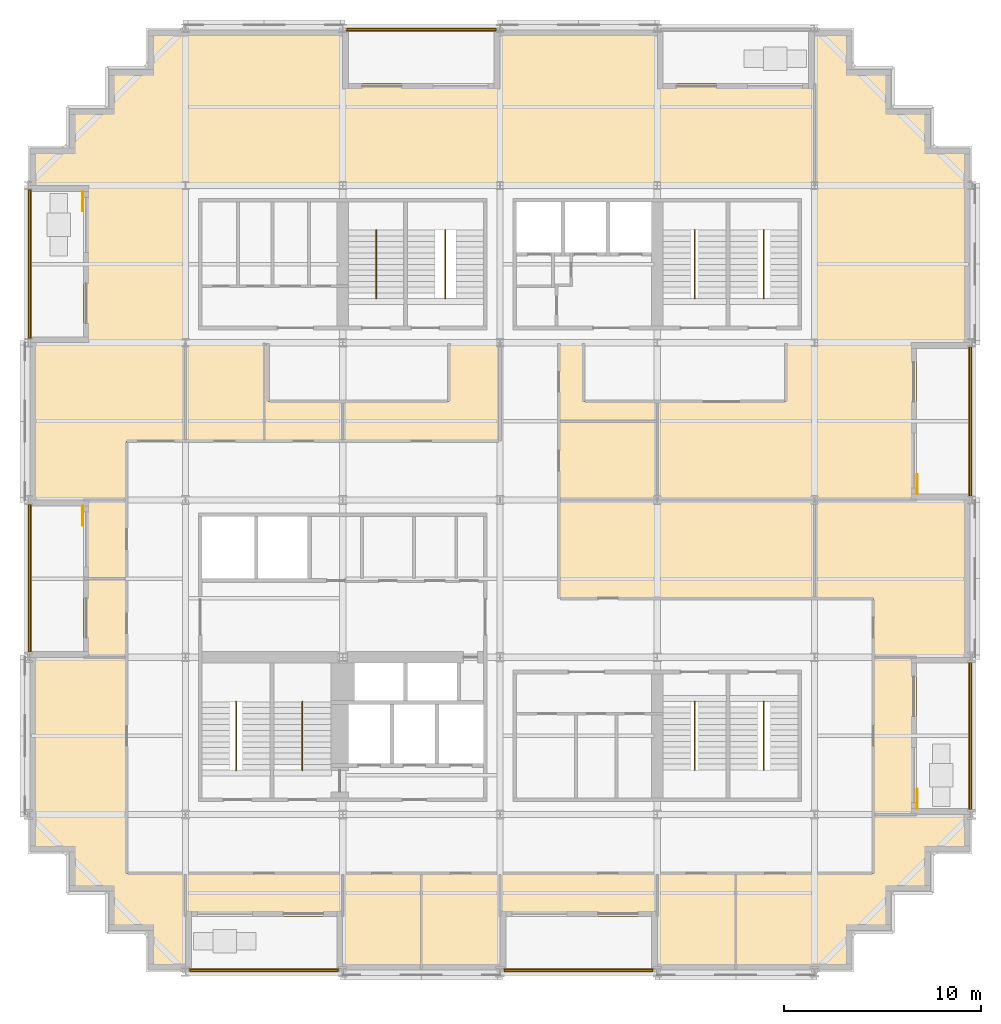
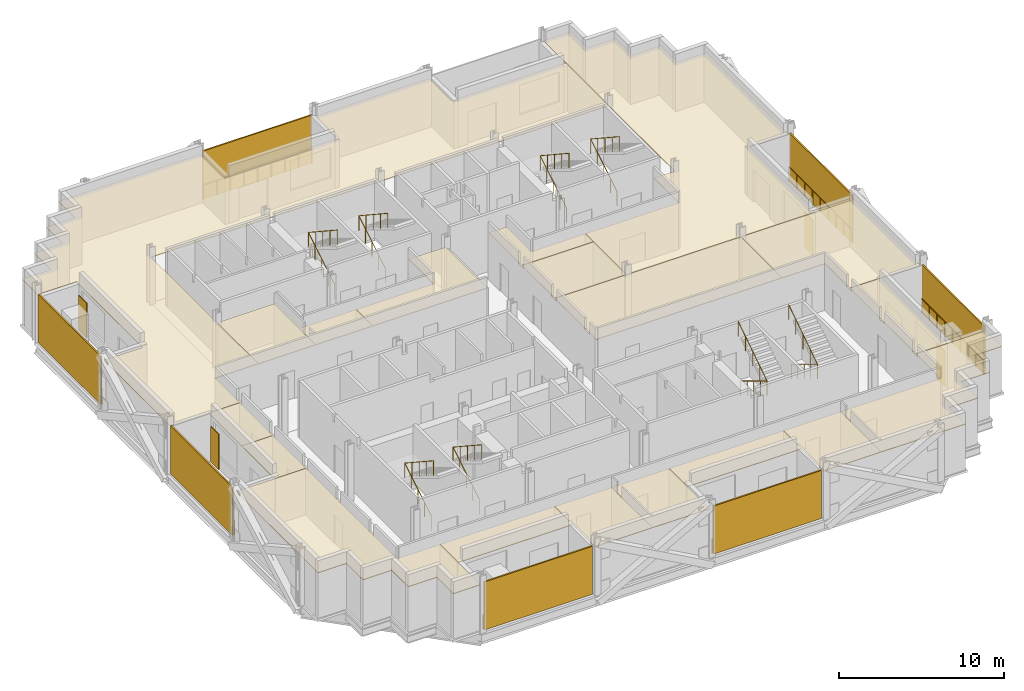
# One storey, part 11 of 13: 19 coverings, 15 railings, 11 shading devices.
"""IFC4 building model written with IfcOpenShell, lengths in metres."""

from ifc_helpers import new_model, si_unit, direction, frame, origin, origin_2d, place, context, subcontext, project, spatial, polyline, rectangle, circle, outline, extrude, material, layer, layer_set, type_object, element, save


model = new_model("IFC4")

# Units and contexts
model_context = context("Model", 3, precision=1e-05, world=origin(), true_north=direction((0.0, 1.0)))
body_context = subcontext(model_context, "Body", "Model", "MODEL_VIEW")
ifc_project = project(units=[si_unit("LENGTHUNIT", "METRE"), si_unit("AREAUNIT", "SQUARE_METRE"), si_unit("VOLUMEUNIT", "CUBIC_METRE"), si_unit("PLANEANGLEUNIT", "RADIAN"), si_unit("MASSUNIT", "GRAM", prefix="KILO")], contexts=[model_context])

# Site, building, storey
site_placement = place(None, origin())
site = spatial("IfcSite", under=ifc_project, at=site_placement, CompositionType="ELEMENT")
building_placement = place(site_placement, origin())
building = spatial("IfcBuilding", under=site, at=building_placement, Name="Immortelle Media Tower", CompositionType="ELEMENT")
storey_placement = place(building_placement, frame((0.0, 0.0, 56.800048828125)))
storey = spatial("IfcBuildingStorey", under=building, at=storey_placement, Name="L09", CompositionType="ELEMENT", Elevation=56.800048828125)

# Railings
ifc_material_1 = material(Name="Powder-coated aluminium fretwork panel, laminated glass backing", Category="aluminium")
railing_type_1 = type_object("IfcRailingType", Name="Fretwork balustrade 1100", PredefinedType="BALUSTRADE", material=ifc_material_1)
railing_1_placement = place(storey_placement, frame((0.139892578125, 39.79150390625, 0.0)))
element("IfcRailing", 1, at=railing_1_placement, inside=storey, type_object=railing_type_1, Name="Fretwork balustrade L09 W0", PredefinedType="BALUSTRADE", context=body_context, shape_type="SweptSolid", body=[
    extrude(circle(Radius=0.02490234375, at=origin_2d()), frame((0.0, 0.0, 1.0751953125), z_axis=(0.0, -1.0, 0.0), x_axis=(1.0, 0.0, 0.0)), (0.0, 0.0, 1.0), 7.574462890625),
    extrude(circle(Radius=0.02001953125, at=origin_2d()), origin(), (0.0, 0.0, 1.0), 1.050048828125),
    extrude(circle(Radius=0.02001953125, at=origin_2d()), frame((0.0, -0.94677734375, 0.0)), (0.0, 0.0, 1.0), 1.050048828125),
    extrude(circle(Radius=0.02001953125, at=origin_2d()), frame((0.0, -1.8935546875, 0.0)), (0.0, 0.0, 1.0), 1.050048828125),
    extrude(circle(Radius=0.02001953125, at=origin_2d()), frame((0.0, -2.84033203125, 0.0)), (0.0, 0.0, 1.0), 1.050048828125),
    extrude(circle(Radius=0.02001953125, at=origin_2d()), frame((0.0, -3.787109375, 0.0)), (0.0, 0.0, 1.0), 1.050048828125),
    extrude(circle(Radius=0.02001953125, at=origin_2d()), frame((0.0, -4.734130859375, 0.0)), (0.0, 0.0, 1.0), 1.050048828125),
    extrude(circle(Radius=0.02001953125, at=origin_2d()), frame((0.0, -5.680908203125, 0.0)), (0.0, 0.0, 1.0), 1.050048828125),
    extrude(circle(Radius=0.02001953125, at=origin_2d()), frame((0.0, -6.627685546875, 0.0)), (0.0, 0.0, 1.0), 1.050048828125),
    extrude(circle(Radius=0.02001953125, at=origin_2d()), frame((0.0, -7.574462890625, 0.0)), (0.0, 0.0, 1.0), 1.050048828125),
])
railing_2_placement = place(storey_placement, frame((0.139892578125, 23.782958984375, 0.0)))
element("IfcRailing", 2, at=railing_2_placement, inside=storey, type_object=railing_type_1, Name="Fretwork balustrade L09 W2", PredefinedType="BALUSTRADE", context=body_context, shape_type="SweptSolid", body=[
    extrude(circle(Radius=0.02490234375, at=origin_2d()), frame((0.0, 0.0, 1.0751953125), z_axis=(0.0, -1.0, 0.0), x_axis=(1.0, 0.0, 0.0)), (0.0, 0.0, 1.0), 7.517578125),
    extrude(circle(Radius=0.02001953125, at=origin_2d()), origin(), (0.0, 0.0, 1.0), 1.050048828125),
    extrude(circle(Radius=0.02001953125, at=origin_2d()), frame((0.0, -0.939697265625, 0.0)), (0.0, 0.0, 1.0), 1.050048828125),
    extrude(circle(Radius=0.02001953125, at=origin_2d()), frame((0.0, -1.87939453125, 0.0)), (0.0, 0.0, 1.0), 1.050048828125),
    extrude(circle(Radius=0.02001953125, at=origin_2d()), frame((0.0, -2.819091796875, 0.0)), (0.0, 0.0, 1.0), 1.050048828125),
    extrude(circle(Radius=0.02001953125, at=origin_2d()), frame((0.0, -3.7587890625, 0.0)), (0.0, 0.0, 1.0), 1.050048828125),
    extrude(circle(Radius=0.02001953125, at=origin_2d()), frame((0.0, -4.698486328125, 0.0)), (0.0, 0.0, 1.0), 1.050048828125),
    extrude(circle(Radius=0.02001953125, at=origin_2d()), frame((0.0, -5.63818359375, 0.0)), (0.0, 0.0, 1.0), 1.050048828125),
    extrude(circle(Radius=0.02001953125, at=origin_2d()), frame((0.0, -6.577880859375, 0.0)), (0.0, 0.0, 1.0), 1.050048828125),
    extrude(circle(Radius=0.02001953125, at=origin_2d()), frame((0.0, -7.517578125, 0.0)), (0.0, 0.0, 1.0), 1.050048828125),
])
railing_3_placement = place(storey_placement, frame((8.216064453125, 0.139892578125, 0.0)))
element("IfcRailing", 3, at=railing_3_placement, inside=storey, type_object=railing_type_1, Name="Fretwork balustrade L09 S0", PredefinedType="BALUSTRADE", context=body_context, shape_type="SweptSolid", body=[
    extrude(circle(Radius=0.02490234375, at=origin_2d()), frame((0.0, 0.0, 1.0751953125), z_axis=(1.0, 0.0, 0.0), x_axis=(0.0, 1.0, 0.0)), (0.0, 0.0, 1.0), 7.56298828125),
    extrude(circle(Radius=0.02001953125, at=origin_2d()), origin(), (0.0, 0.0, 1.0), 1.050048828125),
    extrude(circle(Radius=0.02001953125, at=origin_2d()), frame((0.9453125, 0.0, 0.0)), (0.0, 0.0, 1.0), 1.050048828125),
    extrude(circle(Radius=0.02001953125, at=origin_2d()), frame((1.890625, 0.0, 0.0)), (0.0, 0.0, 1.0), 1.050048828125),
    extrude(circle(Radius=0.02001953125, at=origin_2d()), frame((2.836181640625, 0.0, 0.0)), (0.0, 0.0, 1.0), 1.050048828125),
    extrude(circle(Radius=0.02001953125, at=origin_2d()), frame((3.781494140625, 0.0, 0.0)), (0.0, 0.0, 1.0), 1.050048828125),
    extrude(circle(Radius=0.02001953125, at=origin_2d()), frame((4.726806640625, 0.0, 0.0)), (0.0, 0.0, 1.0), 1.050048828125),
    extrude(circle(Radius=0.02001953125, at=origin_2d()), frame((5.67236328125, 0.0, 0.0)), (0.0, 0.0, 1.0), 1.050048828125),
    extrude(circle(Radius=0.02001953125, at=origin_2d()), frame((6.61767578125, 0.0, 0.0)), (0.0, 0.0, 1.0), 1.050048828125),
    extrude(circle(Radius=0.02001953125, at=origin_2d()), frame((7.56298828125, 0.0, 0.0)), (0.0, 0.0, 1.0), 1.050048828125),
])
railing_4_placement = place(storey_placement, frame((24.220947265625, 0.139892578125, 0.0)))
element("IfcRailing", 4, at=railing_4_placement, inside=storey, type_object=railing_type_1, Name="Fretwork balustrade L09 S2", PredefinedType="BALUSTRADE", context=body_context, shape_type="SweptSolid", body=[
    extrude(circle(Radius=0.02490234375, at=origin_2d()), frame((0.0, 0.0, 1.0751953125), z_axis=(1.0, 0.0, 0.0), x_axis=(0.0, 1.0, 0.0)), (0.0, 0.0, 1.0), 7.55810546875),
    extrude(circle(Radius=0.02001953125, at=origin_2d()), origin(), (0.0, 0.0, 1.0), 1.050048828125),
    extrude(circle(Radius=0.02001953125, at=origin_2d()), frame((0.94482421875, 0.0, 0.0)), (0.0, 0.0, 1.0), 1.050048828125),
    extrude(circle(Radius=0.02001953125, at=origin_2d()), frame((1.8896484375, 0.0, 0.0)), (0.0, 0.0, 1.0), 1.050048828125),
    extrude(circle(Radius=0.02001953125, at=origin_2d()), frame((2.834228515625, 0.0, 0.0)), (0.0, 0.0, 1.0), 1.050048828125),
    extrude(circle(Radius=0.02001953125, at=origin_2d()), frame((3.779052734375, 0.0, 0.0)), (0.0, 0.0, 1.0), 1.050048828125),
    extrude(circle(Radius=0.02001953125, at=origin_2d()), frame((4.723876953125, 0.0, 0.0)), (0.0, 0.0, 1.0), 1.050048828125),
    extrude(circle(Radius=0.02001953125, at=origin_2d()), frame((5.66845703125, 0.0, 0.0)), (0.0, 0.0, 1.0), 1.050048828125),
    extrude(circle(Radius=0.02001953125, at=origin_2d()), frame((6.61328125, 0.0, 0.0)), (0.0, 0.0, 1.0), 1.050048828125),
    extrude(circle(Radius=0.02001953125, at=origin_2d()), frame((7.55810546875, 0.0, 0.0)), (0.0, 0.0, 1.0), 1.050048828125),
])
railing_5_placement = place(storey_placement, frame((47.860107421875, 8.2490234375, 0.0)))
element("IfcRailing", 5, at=railing_5_placement, inside=storey, type_object=railing_type_1, Name="Fretwork balustrade L09 E0", PredefinedType="BALUSTRADE", context=body_context, shape_type="SweptSolid", body=[
    extrude(circle(Radius=0.02490234375, at=origin_2d()), frame((0.0, 0.0, 1.0751953125), z_axis=(0.0, 1.0, 0.0), x_axis=(-1.0, 0.0, 0.0)), (0.0, 0.0, 1.0), 7.485595703125),
    extrude(circle(Radius=0.02001953125, at=origin_2d()), origin(), (0.0, 0.0, 1.0), 1.050048828125),
    extrude(circle(Radius=0.02001953125, at=origin_2d()), frame((0.0, 0.935791015625, 0.0)), (0.0, 0.0, 1.0), 1.050048828125),
    extrude(circle(Radius=0.02001953125, at=origin_2d()), frame((0.0, 1.871337890625, 0.0)), (0.0, 0.0, 1.0), 1.050048828125),
    extrude(circle(Radius=0.02001953125, at=origin_2d()), frame((0.0, 2.80712890625, 0.0)), (0.0, 0.0, 1.0), 1.050048828125),
    extrude(circle(Radius=0.02001953125, at=origin_2d()), frame((0.0, 3.74267578125, 0.0)), (0.0, 0.0, 1.0), 1.050048828125),
    extrude(circle(Radius=0.02001953125, at=origin_2d()), frame((0.0, 4.678466796875, 0.0)), (0.0, 0.0, 1.0), 1.050048828125),
    extrude(circle(Radius=0.02001953125, at=origin_2d()), frame((0.0, 5.6142578125, 0.0)), (0.0, 0.0, 1.0), 1.050048828125),
    extrude(circle(Radius=0.02001953125, at=origin_2d()), frame((0.0, 6.5498046875, 0.0)), (0.0, 0.0, 1.0), 1.050048828125),
    extrude(circle(Radius=0.02001953125, at=origin_2d()), frame((0.0, 7.485595703125, 0.0)), (0.0, 0.0, 1.0), 1.050048828125),
])
railing_6_placement = place(storey_placement, frame((47.860107421875, 24.199462890625, 0.0)))
element("IfcRailing", 6, at=railing_6_placement, inside=storey, type_object=railing_type_1, Name="Fretwork balustrade L09 E2", PredefinedType="BALUSTRADE", context=body_context, shape_type="SweptSolid", body=[
    extrude(circle(Radius=0.02490234375, at=origin_2d()), frame((0.0, 0.0, 1.0751953125), z_axis=(0.0, 1.0, 0.0), x_axis=(-1.0, 0.0, 0.0)), (0.0, 0.0, 1.0), 7.60107421875),
    extrude(circle(Radius=0.02001953125, at=origin_2d()), origin(), (0.0, 0.0, 1.0), 1.050048828125),
    extrude(circle(Radius=0.02001953125, at=origin_2d()), frame((0.0, 0.9501953125, 0.0)), (0.0, 0.0, 1.0), 1.050048828125),
    extrude(circle(Radius=0.02001953125, at=origin_2d()), frame((0.0, 1.900390625, 0.0)), (0.0, 0.0, 1.0), 1.050048828125),
    extrude(circle(Radius=0.02001953125, at=origin_2d()), frame((0.0, 2.850341796875, 0.0)), (0.0, 0.0, 1.0), 1.050048828125),
    extrude(circle(Radius=0.02001953125, at=origin_2d()), frame((0.0, 3.800537109375, 0.0)), (0.0, 0.0, 1.0), 1.050048828125),
    extrude(circle(Radius=0.02001953125, at=origin_2d()), frame((0.0, 4.750732421875, 0.0)), (0.0, 0.0, 1.0), 1.050048828125),
    extrude(circle(Radius=0.02001953125, at=origin_2d()), frame((0.0, 5.70068359375, 0.0)), (0.0, 0.0, 1.0), 1.050048828125),
    extrude(circle(Radius=0.02001953125, at=origin_2d()), frame((0.0, 6.65087890625, 0.0)), (0.0, 0.0, 1.0), 1.050048828125),
    extrude(circle(Radius=0.02001953125, at=origin_2d()), frame((0.0, 7.60107421875, 0.0)), (0.0, 0.0, 1.0), 1.050048828125),
])
railing_7_placement = place(storey_placement, frame((23.799560546875, 47.860107421875, 0.0)))
element("IfcRailing", 7, at=railing_7_placement, inside=storey, type_object=railing_type_1, Name="Fretwork balustrade L09 N2", PredefinedType="BALUSTRADE", context=body_context, shape_type="SweptSolid", body=[
    extrude(circle(Radius=0.02490234375, at=origin_2d()), frame((0.0, 0.0, 1.0751953125), z_axis=(-1.0, 0.0, 0.0), x_axis=(0.0, -1.0, 0.0)), (0.0, 0.0, 1.0), 7.593994140625),
    extrude(circle(Radius=0.02001953125, at=origin_2d()), origin(), (0.0, 0.0, 1.0), 1.050048828125),
    extrude(circle(Radius=0.02001953125, at=origin_2d()), frame((-0.94921875, 0.0, 0.0)), (0.0, 0.0, 1.0), 1.050048828125),
    extrude(circle(Radius=0.02001953125, at=origin_2d()), frame((-1.8984375, 0.0, 0.0)), (0.0, 0.0, 1.0), 1.050048828125),
    extrude(circle(Radius=0.02001953125, at=origin_2d()), frame((-2.84765625, 0.0, 0.0)), (0.0, 0.0, 1.0), 1.050048828125),
    extrude(circle(Radius=0.02001953125, at=origin_2d()), frame((-3.796875, 0.0, 0.0)), (0.0, 0.0, 1.0), 1.050048828125),
    extrude(circle(Radius=0.02001953125, at=origin_2d()), frame((-4.746337890625, 0.0, 0.0)), (0.0, 0.0, 1.0), 1.050048828125),
    extrude(circle(Radius=0.02001953125, at=origin_2d()), frame((-5.695556640625, 0.0, 0.0)), (0.0, 0.0, 1.0), 1.050048828125),
    extrude(circle(Radius=0.02001953125, at=origin_2d()), frame((-6.644775390625, 0.0, 0.0)), (0.0, 0.0, 1.0), 1.050048828125),
    extrude(circle(Radius=0.02001953125, at=origin_2d()), frame((-7.593994140625, 0.0, 0.0)), (0.0, 0.0, 1.0), 1.050048828125),
])

# Shading devices
ifc_material_2 = material(Name="Pale aluminium louvre blades", Category="aluminium")
ifc_layer_1 = layer(ifc_material_2, 0.10009765625)
ifc_layer_set_1 = layer_set([ifc_layer_1], Name="Pale aluminium louvre blades")
shading_device_type_1 = type_object("IfcShadingDeviceType", Name="Jalousie screen 100", PredefinedType="JALOUSIE", material=ifc_layer_set_1)
shading_device_1_placement = place(storey_placement, frame((0.050048828125, 36.004150390625, 0.0), z_axis=(0.0, 0.0, 1.0), x_axis=(0.0, -1.0, 0.0)))
element("IfcShadingDevice", 8, at=shading_device_1_placement, inside=storey, type_object=shading_device_type_1, Name="Jalousie screen L09 W0", PredefinedType="JALOUSIE", context=body_context, shape_type="SweptSolid", body=[
    extrude(rectangle(XDim=7.574462890625, YDim=0.10009765625, at=origin_2d()), origin(), (0.0, 0.0, 1.0), 3.553955078125),
])
shading_device_2_placement = place(storey_placement, frame((0.050048828125, 20.024169921875, 0.0), z_axis=(0.0, 0.0, 1.0), x_axis=(0.0, -1.0, 0.0)))
element("IfcShadingDevice", 9, at=shading_device_2_placement, inside=storey, type_object=shading_device_type_1, Name="Jalousie screen L09 W2", PredefinedType="JALOUSIE", context=body_context, shape_type="SweptSolid", body=[
    extrude(rectangle(XDim=7.517578125, YDim=0.10009765625, at=origin_2d()), origin(), (0.0, 0.0, 1.0), 3.553955078125),
])
shading_device_3_placement = place(storey_placement, frame((11.99755859375, 0.050048828125, 0.0), z_axis=(0.0, 0.0, 1.0), x_axis=(1.0, 0.0, 0.0)))
element("IfcShadingDevice", 10, at=shading_device_3_placement, inside=storey, type_object=shading_device_type_1, Name="Jalousie screen L09 S0", PredefinedType="JALOUSIE", context=body_context, shape_type="SweptSolid", body=[
    extrude(rectangle(XDim=7.56298828125, YDim=0.10009765625, at=origin_2d()), origin(), (0.0, 0.0, 1.0), 3.553955078125),
])
shading_device_4_placement = place(storey_placement, frame((28.0, 0.050048828125, 0.0), z_axis=(0.0, 0.0, 1.0), x_axis=(1.0, 0.0, 0.0)))
element("IfcShadingDevice", 11, at=shading_device_4_placement, inside=storey, type_object=shading_device_type_1, Name="Jalousie screen L09 S2", PredefinedType="JALOUSIE", context=body_context, shape_type="SweptSolid", body=[
    extrude(rectangle(XDim=7.55810546875, YDim=0.10009765625, at=origin_2d()), origin(), (0.0, 0.0, 1.0), 3.553955078125),
])
shading_device_5_placement = place(storey_placement, frame((47.949951171875, 11.99169921875, 0.0), z_axis=(0.0, 0.0, 1.0), x_axis=(0.0, 1.0, 0.0)))
element("IfcShadingDevice", 12, at=shading_device_5_placement, inside=storey, type_object=shading_device_type_1, Name="Jalousie screen L09 E0", PredefinedType="JALOUSIE", context=body_context, shape_type="SweptSolid", body=[
    extrude(rectangle(XDim=7.485595703125, YDim=0.10009765625, at=origin_2d()), origin(), (0.0, 0.0, 1.0), 3.553955078125),
])
shading_device_6_placement = place(storey_placement, frame((47.949951171875, 28.0, 0.0), z_axis=(0.0, 0.0, 1.0), x_axis=(0.0, 1.0, 0.0)))
element("IfcShadingDevice", 13, at=shading_device_6_placement, inside=storey, type_object=shading_device_type_1, Name="Jalousie screen L09 E2", PredefinedType="JALOUSIE", context=body_context, shape_type="SweptSolid", body=[
    extrude(rectangle(XDim=7.60107421875, YDim=0.10009765625, at=origin_2d()), origin(), (0.0, 0.0, 1.0), 3.553955078125),
])
shading_device_7_placement = place(storey_placement, frame((20.00244140625, 47.949951171875, 0.0), z_axis=(0.0, 0.0, 1.0), x_axis=(-1.0, 0.0, 0.0)))
element("IfcShadingDevice", 14, at=shading_device_7_placement, inside=storey, type_object=shading_device_type_1, Name="Jalousie screen L09 N2", PredefinedType="JALOUSIE", context=body_context, shape_type="SweptSolid", body=[
    extrude(rectangle(XDim=7.593994140625, YDim=0.10009765625, at=origin_2d()), origin(), (0.0, 0.0, 1.0), 3.553955078125),
])
ifc_material_3 = material(Name="Pale aluminium louvre blades in a folding frame", Category="aluminium")
ifc_layer_2 = layer(ifc_material_3, 0.050048828125)
ifc_layer_set_2 = layer_set([ifc_layer_2], Name="Pale aluminium louvre blades in a folding frame")
shading_device_type_2 = type_object("IfcShadingDeviceType", Name="Louvred loggia shutter", PredefinedType="SHUTTER", material=ifc_layer_set_2)
for number, where, z_axis, x_axis, name in (
    (15, (2.77490234375, 39.199951171875, 0.0), (0.0, 0.0, 1.0), (0.0, -1.0, 0.0), "Loggia shutter L09 W0"),
    (16, (2.77490234375, 23.199951171875, 0.0), (0.0, 0.0, 1.0), (0.0, -1.0, 0.0), "Loggia shutter L09 W2"),
    (17, (45.22509765625, 8.800048828125, 0.0), (0.0, 0.0, 1.0), (0.0, 1.0, 0.0), "Loggia shutter L09 E0"),
    (18, (45.22509765625, 24.800048828125, 0.0), (0.0, 0.0, 1.0), (0.0, 1.0, 0.0), "Loggia shutter L09 E2"),
):
    element("IfcShadingDevice", number, at=place(storey_placement, frame(where, z_axis=z_axis, x_axis=x_axis)), inside=storey, type_object=shading_device_type_2, Name=name, PredefinedType="SHUTTER", context=body_context, shape_type="SweptSolid", body=[
        extrude(rectangle(XDim=1.0, YDim=0.050048828125, at=origin_2d()), origin(), (0.0, 0.0, 1.0), 2.60009765625),
    ])

# Railings
ifc_material_4 = material(Name="Stainless steel AISI 316", Category="steel")
railing_type_2 = type_object("IfcRailingType", Name="Stair guard 1100", PredefinedType="GUARDRAIL", material=ifc_material_4)
for number, where, name in (
    (19, (10.574951171875, 10.5400390625, 0.176025390625), "Stair guard SW1"),
    (20, (13.949951171875, 10.5400390625, 0.176025390625), "Stair guard SW2"),
):
    element("IfcRailing", number, at=place(storey_placement, frame(where)), inside=storey, type_object=railing_type_2, Name=name, PredefinedType="GUARDRAIL", context=body_context, shape_type="SweptSolid", body=[
        extrude(circle(Radius=0.02392578125, at=origin_2d()), frame((0.0, 0.0, 1.076171875), z_axis=(0.0, 0.854872504309, 0.518838126371), x_axis=(-1.0, 0.0, 0.0)), (0.0, 0.0, 1.0), 3.7314453125),
        extrude(circle(Radius=0.02392578125, at=origin_2d()), frame((0.0, 3.18994140625, 3.01220703125), z_axis=(0.0, -0.835595538677, 0.549345151743), x_axis=(1.0, 0.0, 0.0)), (0.0, 0.0, 1.0), 4.16455078125),
        extrude(circle(Radius=0.02099609375, at=origin_2d()), origin(), (0.0, 0.0, 1.0), 1.052001953125),
        extrude(circle(Radius=0.02099609375, at=origin_2d()), frame((0.0, 0.79736328125, 0.48388671875)), (0.0, 0.0, 1.0), 1.052001953125),
        extrude(circle(Radius=0.02099609375, at=origin_2d()), frame((0.0, 1.594970703125, 0.968017578125)), (0.0, 0.0, 1.0), 1.052001953125),
        extrude(circle(Radius=0.02099609375, at=origin_2d()), frame((0.0, 2.392578125, 1.4521484375)), (0.0, 0.0, 1.0), 1.052001953125),
        extrude(circle(Radius=0.02099609375, at=origin_2d()), frame((0.0, 3.18994140625, 1.93603515625)), (0.0, 0.0, 1.0), 1.052001953125),
        extrude(circle(Radius=0.02099609375, at=origin_2d()), frame((0.0, 2.31982421875, 2.508056640625)), (0.0, 0.0, 1.0), 1.052001953125),
        extrude(circle(Radius=0.02099609375, at=origin_2d()), frame((0.0, 1.449951171875, 3.080078125)), (0.0, 0.0, 1.0), 1.052001953125),
        extrude(circle(Radius=0.02099609375, at=origin_2d()), frame((0.0, 0.580078125, 3.65185546875)), (0.0, 0.0, 1.0), 1.052001953125),
        extrude(circle(Radius=0.02099609375, at=origin_2d()), frame((0.0, -0.2900390625, 4.223876953125)), (0.0, 0.0, 1.0), 1.052001953125),
    ])
for number, where, name in (
    (21, (33.89990234375, 13.4599609375, 0.176025390625), "Stair guard SE1"),
    (22, (37.425048828125, 13.4599609375, 0.176025390625), "Stair guard SE2"),
):
    element("IfcRailing", number, at=place(storey_placement, frame(where)), inside=storey, type_object=railing_type_2, Name=name, PredefinedType="GUARDRAIL", context=body_context, shape_type="SweptSolid", body=[
        extrude(circle(Radius=0.02392578125, at=origin_2d()), frame((0.0, 0.0, 1.076171875), z_axis=(0.0, -0.854872504309, 0.518838126371), x_axis=(1.0, 0.0, 0.0)), (0.0, 0.0, 1.0), 3.7314453125),
        extrude(circle(Radius=0.02392578125, at=origin_2d()), frame((0.0, -3.18994140625, 3.01220703125), z_axis=(0.0, 0.835595538677, 0.549345151743), x_axis=(-1.0, 0.0, 0.0)), (0.0, 0.0, 1.0), 4.16455078125),
        extrude(circle(Radius=0.02099609375, at=origin_2d()), origin(), (0.0, 0.0, 1.0), 1.052001953125),
        extrude(circle(Radius=0.02099609375, at=origin_2d()), frame((0.0, -0.79736328125, 0.48388671875)), (0.0, 0.0, 1.0), 1.052001953125),
        extrude(circle(Radius=0.02099609375, at=origin_2d()), frame((0.0, -1.594970703125, 0.968017578125)), (0.0, 0.0, 1.0), 1.052001953125),
        extrude(circle(Radius=0.02099609375, at=origin_2d()), frame((0.0, -2.392578125, 1.4521484375)), (0.0, 0.0, 1.0), 1.052001953125),
        extrude(circle(Radius=0.02099609375, at=origin_2d()), frame((0.0, -3.18994140625, 1.93603515625)), (0.0, 0.0, 1.0), 1.052001953125),
        extrude(circle(Radius=0.02099609375, at=origin_2d()), frame((0.0, -2.31982421875, 2.508056640625)), (0.0, 0.0, 1.0), 1.052001953125),
        extrude(circle(Radius=0.02099609375, at=origin_2d()), frame((0.0, -1.449951171875, 3.080078125)), (0.0, 0.0, 1.0), 1.052001953125),
        extrude(circle(Radius=0.02099609375, at=origin_2d()), frame((0.0, -0.580078125, 3.65185546875)), (0.0, 0.0, 1.0), 1.052001953125),
        extrude(circle(Radius=0.02099609375, at=origin_2d()), frame((0.0, 0.2900390625, 4.223876953125)), (0.0, 0.0, 1.0), 1.052001953125),
    ])
for number, where, name in (
    (23, (17.699951171875, 34.5400390625, 0.176025390625), "Stair guard NW1"),
    (24, (21.22509765625, 34.5400390625, 0.176025390625), "Stair guard NW2"),
    (25, (33.89990234375, 34.5400390625, 0.176025390625), "Stair guard NE1"),
    (26, (37.425048828125, 34.5400390625, 0.176025390625), "Stair guard NE2"),
):
    element("IfcRailing", number, at=place(storey_placement, frame(where)), inside=storey, type_object=railing_type_2, Name=name, PredefinedType="GUARDRAIL", context=body_context, shape_type="SweptSolid", body=[
        extrude(circle(Radius=0.02392578125, at=origin_2d()), frame((0.0, 0.0, 1.076171875), z_axis=(0.0, 0.854872504309, 0.518838126371), x_axis=(-1.0, 0.0, 0.0)), (0.0, 0.0, 1.0), 3.7314453125),
        extrude(circle(Radius=0.02392578125, at=origin_2d()), frame((0.0, 3.18994140625, 3.01220703125), z_axis=(0.0, -0.835595538677, 0.549345151743), x_axis=(1.0, 0.0, 0.0)), (0.0, 0.0, 1.0), 4.16455078125),
        extrude(circle(Radius=0.02099609375, at=origin_2d()), origin(), (0.0, 0.0, 1.0), 1.052001953125),
        extrude(circle(Radius=0.02099609375, at=origin_2d()), frame((0.0, 0.79736328125, 0.48388671875)), (0.0, 0.0, 1.0), 1.052001953125),
        extrude(circle(Radius=0.02099609375, at=origin_2d()), frame((0.0, 1.594970703125, 0.968017578125)), (0.0, 0.0, 1.0), 1.052001953125),
        extrude(circle(Radius=0.02099609375, at=origin_2d()), frame((0.0, 2.392578125, 1.4521484375)), (0.0, 0.0, 1.0), 1.052001953125),
        extrude(circle(Radius=0.02099609375, at=origin_2d()), frame((0.0, 3.18994140625, 1.93603515625)), (0.0, 0.0, 1.0), 1.052001953125),
        extrude(circle(Radius=0.02099609375, at=origin_2d()), frame((0.0, 2.31982421875, 2.508056640625)), (0.0, 0.0, 1.0), 1.052001953125),
        extrude(circle(Radius=0.02099609375, at=origin_2d()), frame((0.0, 1.449951171875, 3.080078125)), (0.0, 0.0, 1.0), 1.052001953125),
        extrude(circle(Radius=0.02099609375, at=origin_2d()), frame((0.0, 0.580078125, 3.65185546875)), (0.0, 0.0, 1.0), 1.052001953125),
        extrude(circle(Radius=0.02099609375, at=origin_2d()), frame((0.0, -0.2900390625, 4.223876953125)), (0.0, 0.0, 1.0), 1.052001953125),
    ])

# Coverings
ifc_material_5 = material(Name="Mineral fibre tile ceiling")
ifc_layer_3 = layer(ifc_material_5, 0.050048828125)
ifc_layer_set_3 = layer_set([ifc_layer_3], Name="Mineral fibre tile ceiling")
covering_type = type_object("IfcCoveringType", Name="Suspended ceiling 50", PredefinedType="CEILING", material=ifc_layer_set_3)
covering_1_placement = place(storey_placement, frame((0.0, 0.0, 3.341064453125)))
element("IfcCovering", 27, at=covering_1_placement, inside=storey, type_object=covering_type, Name="Ceiling L09-001", PredefinedType="CEILING", context=body_context, shape_type="SweptSolid", body=[
    extrude(outline(polyline([(16.0, 2.800048828125), (16.0, 5.0), (20.0, 5.0), (20.0, 0.10009765625), (16.0, 0.10009765625), (16.0, 2.800048828125)])), origin(), (0.0, 0.0, 1.0), 0.0498046875),
])
covering_2_placement = place(storey_placement, frame((0.0, 0.0, 3.341064453125)))
element("IfcCovering", 28, at=covering_2_placement, inside=storey, type_object=covering_type, Name="Ceiling L09-002", PredefinedType="CEILING", context=body_context, shape_type="SweptSolid", body=[
    extrude(outline(polyline([(24.0, 5.0), (24.0, 2.800048828125), (24.0, 0.10009765625), (20.0, 0.10009765625), (20.0, 5.0), (24.0, 5.0)])), origin(), (0.0, 0.0, 1.0), 0.0498046875),
])
covering_3_placement = place(storey_placement, frame((0.0, 0.0, 3.341064453125)))
element("IfcCovering", 29, at=covering_3_placement, inside=storey, type_object=covering_type, Name="Ceiling L09-003", PredefinedType="CEILING", context=body_context, shape_type="SweptSolid", body=[
    extrude(outline(polyline([(32.0, 5.0), (36.0, 5.0), (36.0, 0.10009765625), (32.0, 0.10009765625), (32.0, 2.800048828125), (32.0, 5.0)])), origin(), (0.0, 0.0, 1.0), 0.0498046875),
])
covering_4_placement = place(storey_placement, frame((0.0, 0.0, 3.341064453125)))
element("IfcCovering", 30, at=covering_4_placement, inside=storey, type_object=covering_type, Name="Ceiling L09-004", PredefinedType="CEILING", context=body_context, shape_type="SweptSolid", body=[
    extrude(outline(polyline([(40.0, 5.0), (43.0, 5.0), (43.0, 8.0), (45.199951171875, 8.0), (47.89990234375, 8.0), (47.89990234375, 6.10009765625), (45.89990234375, 6.10009765625), (45.89990234375, 4.10009765625), (43.89990234375, 4.10009765625), (43.89990234375, 2.10009765625), (41.89990234375, 2.10009765625), (41.89990234375, 0.10009765625), (40.0, 0.10009765625), (36.0, 0.10009765625), (36.0, 5.0), (40.0, 5.0)])), origin(), (0.0, 0.0, 1.0), 0.0498046875),
])
covering_5_placement = place(storey_placement, frame((0.0, 0.0, 3.341064453125)))
element("IfcCovering", 31, at=covering_5_placement, inside=storey, type_object=covering_type, Name="Ceiling L09-005", PredefinedType="CEILING", context=body_context, shape_type="SweptSolid", body=[
    extrude(outline(polyline([(8.0, 2.800048828125), (8.0, 5.0), (16.0, 5.0), (16.0, 2.800048828125), (8.0, 2.800048828125)])), origin(), (0.0, 0.0, 1.0), 0.0498046875),
])
covering_6_placement = place(storey_placement, frame((0.0, 0.0, 3.341064453125)))
element("IfcCovering", 32, at=covering_6_placement, inside=storey, type_object=covering_type, Name="Ceiling L09-006", PredefinedType="CEILING", context=body_context, shape_type="SweptSolid", body=[
    extrude(outline(polyline([(24.0, 2.800048828125), (24.0, 5.0), (27.0, 5.0), (32.0, 5.0), (32.0, 2.800048828125), (24.0, 2.800048828125)])), origin(), (0.0, 0.0, 1.0), 0.0498046875),
])
covering_7_placement = place(storey_placement, frame((0.0, 0.0, 3.341064453125)))
element("IfcCovering", 33, at=covering_7_placement, inside=storey, type_object=covering_type, Name="Ceiling L09-007", PredefinedType="CEILING", context=body_context, shape_type="SweptSolid", body=[
    extrude(outline(polyline([(4.10009765625, 4.0), (4.10009765625, 4.10009765625), (2.10009765625, 4.10009765625), (2.10009765625, 6.10009765625), (0.10009765625, 6.10009765625), (0.10009765625, 8.0), (0.10009765625, 16.0), (2.800048828125, 16.0), (5.0, 16.0), (5.0, 8.0), (5.0, 5.0), (8.0, 5.0), (8.0, 4.0), (8.0, 2.800048828125), (8.0, 0.10009765625), (6.10009765625, 0.10009765625), (6.10009765625, 2.10009765625), (4.10009765625, 2.10009765625), (4.10009765625, 4.0)])), origin(), (0.0, 0.0, 1.0), 0.0498046875),
])
covering_8_placement = place(storey_placement, frame((0.0, 0.0, 3.341064453125)))
element("IfcCovering", 34, at=covering_8_placement, inside=storey, type_object=covering_type, Name="Ceiling L09-008", PredefinedType="CEILING", context=body_context, shape_type="SweptSolid", body=[
    extrude(outline(polyline([(45.199951171875, 8.0), (43.0, 8.0), (43.0, 16.0), (45.199951171875, 16.0), (45.199951171875, 8.0)])), origin(), (0.0, 0.0, 1.0), 0.0498046875),
])
covering_9_placement = place(storey_placement, frame((0.0, 0.0, 3.341064453125)))
element("IfcCovering", 35, at=covering_9_placement, inside=storey, type_object=covering_type, Name="Ceiling L09-009", PredefinedType="CEILING", context=body_context, shape_type="SweptSolid", body=[
    extrude(outline(polyline([(5.0, 16.0), (2.800048828125, 16.0), (2.800048828125, 20.0), (5.0, 20.0), (5.0, 19.449951171875), (5.0, 16.0)])), origin(), (0.0, 0.0, 1.0), 0.0498046875),
])
covering_10_placement = place(storey_placement, frame((0.0, 0.0, 3.341064453125)))
element("IfcCovering", 36, at=covering_10_placement, inside=storey, type_object=covering_type, Name="Ceiling L09-010", PredefinedType="CEILING", context=body_context, shape_type="SweptSolid", body=[
    extrude(outline(polyline([(2.800048828125, 24.0), (5.0, 24.0), (5.0, 20.0), (2.800048828125, 20.0), (2.800048828125, 24.0)])), origin(), (0.0, 0.0, 1.0), 0.0498046875),
])
covering_11_placement = place(storey_placement, frame((0.0, 0.0, 3.341064453125)))
element("IfcCovering", 37, at=covering_11_placement, inside=storey, type_object=covering_type, Name="Ceiling L09-011", PredefinedType="CEILING", context=body_context, shape_type="SweptSolid", body=[
    extrude(outline(polyline([(45.199951171875, 16.0), (43.0, 16.0), (43.0, 19.0), (40.0, 19.0), (40.0, 24.0), (45.199951171875, 24.0), (47.89990234375, 24.0), (47.89990234375, 16.0), (45.199951171875, 16.0)])), origin(), (0.0, 0.0, 1.0), 0.0498046875),
])
covering_12_placement = place(storey_placement, frame((0.0, 0.0, 3.341064453125)))
element("IfcCovering", 38, at=covering_12_placement, inside=storey, type_object=covering_type, Name="Ceiling L09-012", PredefinedType="CEILING", context=body_context, shape_type="SweptSolid", body=[
    extrude(outline(polyline([(27.0, 19.0), (27.0, 20.300048828125), (27.0, 24.0), (32.0, 24.0), (40.0, 24.0), (40.0, 19.0), (38.550048828125, 19.0), (36.0, 19.0), (32.0, 19.0), (27.0, 19.0)])), origin(), (0.0, 0.0, 1.0), 0.0498046875),
])
covering_13_placement = place(storey_placement, frame((0.0, 0.0, 3.341064453125)))
element("IfcCovering", 39, at=covering_13_placement, inside=storey, type_object=covering_type, Name="Ceiling L09-013", PredefinedType="CEILING", context=body_context, shape_type="SweptSolid", body=[
    extrude(outline(polyline([(27.0, 28.0), (32.0, 28.0), (32.0, 24.0), (27.0, 24.0), (27.0, 28.0)])), origin(), (0.0, 0.0, 1.0), 0.0498046875),
])
covering_14_placement = place(storey_placement, frame((0.0, 0.0, 3.341064453125)))
element("IfcCovering", 40, at=covering_14_placement, inside=storey, type_object=covering_type, Name="Ceiling L09-014", PredefinedType="CEILING", context=body_context, shape_type="SweptSolid", body=[
    extrude(outline(polyline([(27.0, 32.0), (28.25, 32.0), (28.25, 29.0), (32.0, 29.0), (32.0, 28.0), (27.0, 28.0), (27.0, 32.0)])), origin(), (0.0, 0.0, 1.0), 0.0498046875),
])
covering_15_placement = place(storey_placement, frame((0.0, 0.0, 3.341064453125)))
element("IfcCovering", 41, at=covering_15_placement, inside=storey, type_object=covering_type, Name="Ceiling L09-015", PredefinedType="CEILING", context=body_context, shape_type="SweptSolid", body=[
    extrude(outline(polyline([(16.0, 27.0), (16.0, 29.0), (21.39990234375, 29.0), (21.39990234375, 32.0), (24.0, 32.0), (24.0, 27.0), (16.0, 27.0)])), origin(), (0.0, 0.0, 1.0), 0.0498046875),
])
covering_16_placement = place(storey_placement, frame((0.0, 0.0, 3.341064453125)))
element("IfcCovering", 42, at=covering_16_placement, inside=storey, type_object=covering_type, Name="Ceiling L09-016", PredefinedType="CEILING", context=body_context, shape_type="SweptSolid", body=[
    extrude(outline(polyline([(8.0, 32.0), (12.0, 32.0), (12.0, 27.0), (8.0, 27.0), (8.0, 32.0)])), origin(), (0.0, 0.0, 1.0), 0.0498046875),
])
covering_17_placement = place(storey_placement, frame((0.0, 0.0, 3.341064453125)))
element("IfcCovering", 43, at=covering_17_placement, inside=storey, type_object=covering_type, Name="Ceiling L09-017", PredefinedType="CEILING", context=body_context, shape_type="SweptSolid", body=[
    extrude(outline(polyline([(12.199951171875, 32.0), (12.199951171875, 29.0), (16.0, 29.0), (16.0, 27.0), (12.0, 27.0), (12.0, 32.0), (12.199951171875, 32.0)])), origin(), (0.0, 0.0, 1.0), 0.0498046875),
])
covering_18_placement = place(storey_placement, frame((0.0, 0.0, 3.341064453125)))
element("IfcCovering", 44, at=covering_18_placement, inside=storey, type_object=covering_type, Name="Ceiling L09-018", PredefinedType="CEILING", context=body_context, shape_type="SweptSolid", body=[
    extrude(outline(polyline([(38.550048828125, 32.0), (40.0, 32.0), (40.0, 40.0), (40.0, 45.199951171875), (40.0, 47.89990234375), (41.89990234375, 47.89990234375), (41.89990234375, 45.89990234375), (43.89990234375, 45.89990234375), (43.89990234375, 43.89990234375), (45.89990234375, 43.89990234375), (45.89990234375, 41.89990234375), (47.89990234375, 41.89990234375), (47.89990234375, 40.0), (47.89990234375, 32.0), (45.199951171875, 32.0), (45.199951171875, 24.0), (40.0, 24.0), (32.0, 24.0), (32.0, 29.0), (38.550048828125, 29.0), (38.550048828125, 32.0)])), origin(), (0.0, 0.0, 1.0), 0.0498046875),
])
covering_19_placement = place(storey_placement, frame((0.0, 0.0, 3.341064453125)))
element("IfcCovering", 45, at=covering_19_placement, inside=storey, type_object=covering_type, Name="Ceiling L09-019", PredefinedType="CEILING", context=body_context, shape_type="SweptSolid", body=[
    extrude(outline(polyline([(2.800048828125, 40.0), (0.10009765625, 40.0), (0.10009765625, 41.89990234375), (2.10009765625, 41.89990234375), (2.10009765625, 43.89990234375), (4.10009765625, 43.89990234375), (4.10009765625, 45.89990234375), (6.10009765625, 45.89990234375), (6.10009765625, 47.89990234375), (8.0, 47.89990234375), (16.0, 47.89990234375), (16.0, 45.199951171875), (24.0, 45.199951171875), (24.0, 47.89990234375), (32.0, 47.89990234375), (32.0, 45.199951171875), (40.0, 45.199951171875), (40.0, 40.0), (32.0, 40.0), (24.0, 40.0), (16.0, 40.0), (8.0, 40.0), (8.0, 32.0), (8.0, 27.0), (5.0, 27.0), (5.0, 24.0), (2.800048828125, 24.0), (0.10009765625, 24.0), (0.10009765625, 32.0), (2.800048828125, 32.0), (2.800048828125, 40.0)])), origin(), (0.0, 0.0, 1.0), 0.0498046875),
])

save(model, "model.ifc")
